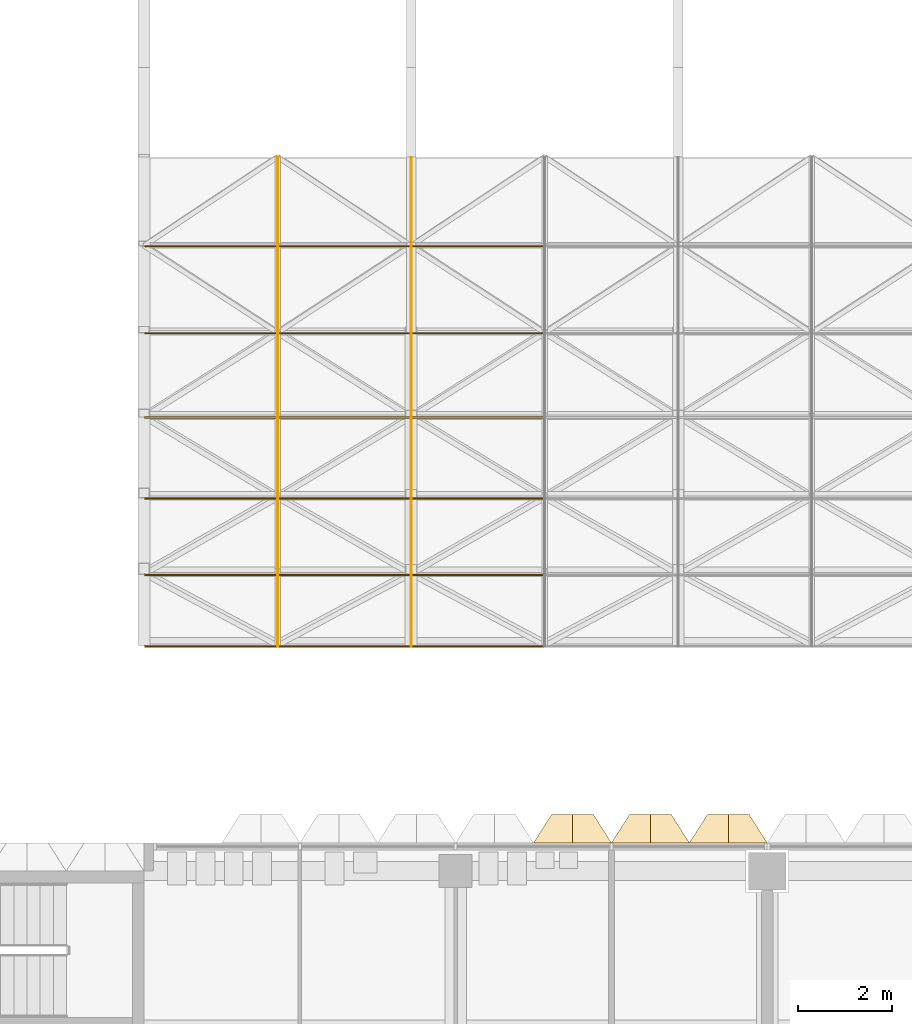
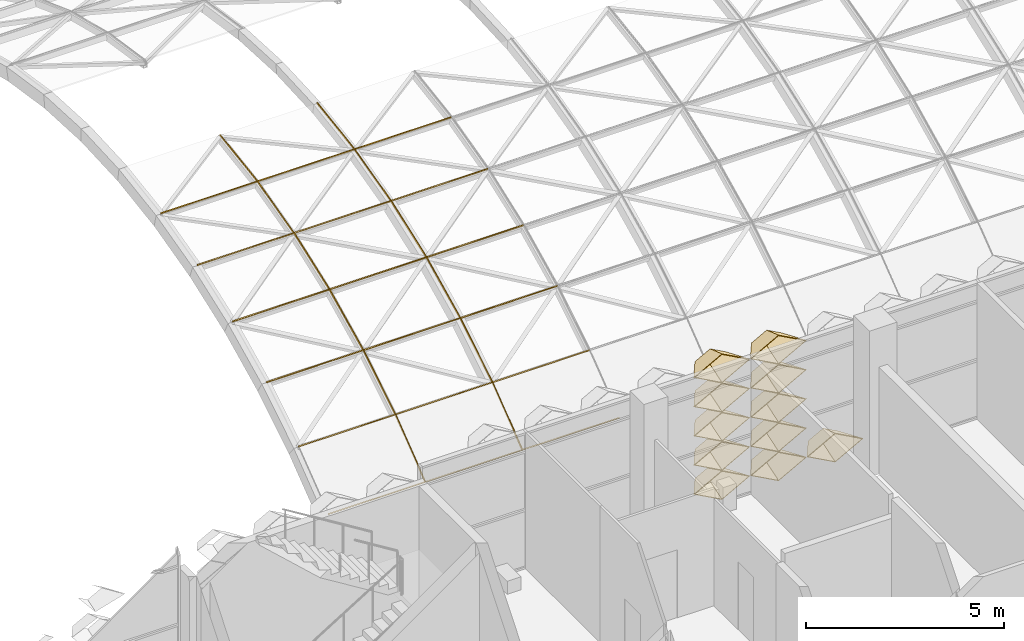
# One storey, part 55 of 85: 41 coverings.
"""IFC4 building model written with IfcOpenShell, lengths in metres."""

from ifc_helpers import new_model, entity, si_unit, direction, frame, origin, origin_2d, place, context, subcontext, project, spatial, rectangle, extrude, material, layer, layer_set, material_profile, profile_set, type_object, element, save


model = new_model("IFC4")

# Units and contexts
model_context = context("Model", 3, precision=1e-05, world=origin(), true_north=direction((0.0, 1.0)))
body_context = subcontext(model_context, "Body", "Model", "MODEL_VIEW")
ifc_project = project(units=[si_unit("LENGTHUNIT", "METRE"), si_unit("AREAUNIT", "SQUARE_METRE"), si_unit("VOLUMEUNIT", "CUBIC_METRE"), si_unit("PLANEANGLEUNIT", "RADIAN"), si_unit("MASSUNIT", "GRAM", prefix="KILO")], contexts=[model_context])

# Site, building, storey
site_placement = place(None, origin())
site = spatial("IfcSite", under=ifc_project, at=site_placement, CompositionType="ELEMENT")
building_placement = place(site_placement, origin())
building = spatial("IfcBuilding", under=site, at=building_placement, Name="Lantern Court Research Institute", CompositionType="ELEMENT")
storey_placement = place(building_placement, frame((0.0, 0.0, 18.89990234375)))
storey = spatial("IfcBuildingStorey", under=building, at=storey_placement, Name="L04", CompositionType="ELEMENT", Elevation=18.89990234375)

# Coverings
ifc_material_1 = material(Name="Anodised aluminium", Category="aluminium")
ifc_layer = layer(ifc_material_1, 0.01611328125)
ifc_layer_set = layer_set([ifc_layer], Name="Anodised aluminium")
covering_type_1 = type_object("IfcCoveringType", Name="Fin cassette 1650 x 900 x 600 aluminium", PredefinedType="CLADDING", material=ifc_layer_set)
covering_1_placement = place(storey_placement, frame((48.675048828125, 23.699951171875, 0.4501953125), z_axis=(0.0, 1.0, 0.0), x_axis=(-1.0, 0.0, 0.0)))
cartesian_point_1 = entity("IfcCartesianPoint", [0.824951171875, 0.0])
cartesian_point_2 = entity("IfcCartesianPoint", [0.79150390625, 0.0])
cartesian_point_3 = entity("IfcCartesianPoint", [0.44189453125, 0.0])
cartesian_point_4 = entity("IfcCartesianPoint", [0.43359375, 0.0])
element("IfcCovering", 1, at=covering_1_placement, inside=storey, type_object=covering_type_1, Name="Fin cassette V4N-L04 1.30", PredefinedType="CLADDING", context=body_context, shape_type="SweptSolid", body=[
    entity("IfcExtrudedAreaSolidTapered", entity("IfcArbitraryProfileDefWithVoids", "AREA", None, entity("IfcPolyline", [cartesian_point_1, entity("IfcCartesianPoint", [0.0, 0.449951171875]), entity("IfcCartesianPoint", [-0.824951171875, 0.0]), entity("IfcCartesianPoint", [0.0, -0.449951171875]), cartesian_point_1]), [entity("IfcPolyline", [cartesian_point_2, entity("IfcCartesianPoint", [0.0, 0.431884765625]), entity("IfcCartesianPoint", [-0.79150390625, 0.0]), entity("IfcCartesianPoint", [0.0, -0.431884765625]), cartesian_point_2])]), entity("IfcAxis2Placement3D", entity("IfcCartesianPoint", [0.0, 0.0, 0.0])), entity("IfcDirection", [0.0, 0.0, 1.0]), 0.60009765625, entity("IfcArbitraryProfileDefWithVoids", "AREA", None, entity("IfcPolyline", [cartesian_point_3, entity("IfcCartesianPoint", [0.0, 0.240966796875]), entity("IfcCartesianPoint", [-0.44189453125, 0.0]), entity("IfcCartesianPoint", [0.0, -0.240966796875]), cartesian_point_3]), [entity("IfcPolyline", [cartesian_point_4, entity("IfcCartesianPoint", [0.0, 0.236572265625]), entity("IfcCartesianPoint", [-0.43359375, 0.0]), entity("IfcCartesianPoint", [0.0, -0.236572265625]), cartesian_point_4])])),
])
covering_2_placement = place(storey_placement, frame((50.324951171875, 23.699951171875, 0.4501953125), z_axis=(0.0, 1.0, 0.0), x_axis=(-1.0, 0.0, 0.0)))
cartesian_point_5 = entity("IfcCartesianPoint", [0.824951171875, 0.0])
cartesian_point_6 = entity("IfcCartesianPoint", [0.79150390625, 0.0])
cartesian_point_7 = entity("IfcCartesianPoint", [0.44189453125, 0.0])
cartesian_point_8 = entity("IfcCartesianPoint", [0.43359375, 0.0])
element("IfcCovering", 2, at=covering_2_placement, inside=storey, type_object=covering_type_1, Name="Fin cassette V4N-L04 1.31", PredefinedType="CLADDING", context=body_context, shape_type="SweptSolid", body=[
    entity("IfcExtrudedAreaSolidTapered", entity("IfcArbitraryProfileDefWithVoids", "AREA", None, entity("IfcPolyline", [cartesian_point_5, entity("IfcCartesianPoint", [0.0, 0.449951171875]), entity("IfcCartesianPoint", [-0.824951171875, 0.0]), entity("IfcCartesianPoint", [0.0, -0.449951171875]), cartesian_point_5]), [entity("IfcPolyline", [cartesian_point_6, entity("IfcCartesianPoint", [0.0, 0.431884765625]), entity("IfcCartesianPoint", [-0.79150390625, 0.0]), entity("IfcCartesianPoint", [0.0, -0.431884765625]), cartesian_point_6])]), entity("IfcAxis2Placement3D", entity("IfcCartesianPoint", [0.0, 0.0, 0.0])), entity("IfcDirection", [0.0, 0.0, 1.0]), 0.60009765625, entity("IfcArbitraryProfileDefWithVoids", "AREA", None, entity("IfcPolyline", [cartesian_point_7, entity("IfcCartesianPoint", [0.0, 0.240966796875]), entity("IfcCartesianPoint", [-0.44189453125, 0.0]), entity("IfcCartesianPoint", [0.0, -0.240966796875]), cartesian_point_7]), [entity("IfcPolyline", [cartesian_point_8, entity("IfcCartesianPoint", [0.0, 0.236572265625]), entity("IfcCartesianPoint", [-0.43359375, 0.0]), entity("IfcCartesianPoint", [0.0, -0.236572265625]), cartesian_point_8])])),
])
covering_3_placement = place(storey_placement, frame((51.97509765625, 23.699951171875, 0.4501953125), z_axis=(0.0, 1.0, 0.0), x_axis=(-1.0, 0.0, 0.0)))
cartesian_point_9 = entity("IfcCartesianPoint", [0.824951171875, 0.0])
cartesian_point_10 = entity("IfcCartesianPoint", [0.79150390625, 0.0])
cartesian_point_11 = entity("IfcCartesianPoint", [0.44189453125, 0.0])
cartesian_point_12 = entity("IfcCartesianPoint", [0.43359375, 0.0])
element("IfcCovering", 3, at=covering_3_placement, inside=storey, type_object=covering_type_1, Name="Fin cassette V4N-L04 1.32", PredefinedType="CLADDING", context=body_context, shape_type="SweptSolid", body=[
    entity("IfcExtrudedAreaSolidTapered", entity("IfcArbitraryProfileDefWithVoids", "AREA", None, entity("IfcPolyline", [cartesian_point_9, entity("IfcCartesianPoint", [0.0, 0.449951171875]), entity("IfcCartesianPoint", [-0.824951171875, 0.0]), entity("IfcCartesianPoint", [0.0, -0.449951171875]), cartesian_point_9]), [entity("IfcPolyline", [cartesian_point_10, entity("IfcCartesianPoint", [0.0, 0.431884765625]), entity("IfcCartesianPoint", [-0.79150390625, 0.0]), entity("IfcCartesianPoint", [0.0, -0.431884765625]), cartesian_point_10])]), entity("IfcAxis2Placement3D", entity("IfcCartesianPoint", [0.0, 0.0, 0.0])), entity("IfcDirection", [0.0, 0.0, 1.0]), 0.60009765625, entity("IfcArbitraryProfileDefWithVoids", "AREA", None, entity("IfcPolyline", [cartesian_point_11, entity("IfcCartesianPoint", [0.0, 0.240966796875]), entity("IfcCartesianPoint", [-0.44189453125, 0.0]), entity("IfcCartesianPoint", [0.0, -0.240966796875]), cartesian_point_11]), [entity("IfcPolyline", [cartesian_point_12, entity("IfcCartesianPoint", [0.0, 0.236572265625]), entity("IfcCartesianPoint", [-0.43359375, 0.0]), entity("IfcCartesianPoint", [0.0, -0.236572265625]), cartesian_point_12])])),
])
covering_4_placement = place(storey_placement, frame((48.675048828125, 23.699951171875, 1.35009765625), z_axis=(0.0, 1.0, 0.0), x_axis=(-1.0, 0.0, 0.0)))
cartesian_point_13 = entity("IfcCartesianPoint", [0.824951171875, 0.0])
cartesian_point_14 = entity("IfcCartesianPoint", [0.79150390625, 0.0])
cartesian_point_15 = entity("IfcCartesianPoint", [0.44189453125, 0.0])
cartesian_point_16 = entity("IfcCartesianPoint", [0.43359375, 0.0])
element("IfcCovering", 4, at=covering_4_placement, inside=storey, type_object=covering_type_1, Name="Fin cassette V4N-L04 2.30", PredefinedType="CLADDING", context=body_context, shape_type="SweptSolid", body=[
    entity("IfcExtrudedAreaSolidTapered", entity("IfcArbitraryProfileDefWithVoids", "AREA", None, entity("IfcPolyline", [cartesian_point_13, entity("IfcCartesianPoint", [0.0, 0.449951171875]), entity("IfcCartesianPoint", [-0.824951171875, 0.0]), entity("IfcCartesianPoint", [0.0, -0.449951171875]), cartesian_point_13]), [entity("IfcPolyline", [cartesian_point_14, entity("IfcCartesianPoint", [0.0, 0.431884765625]), entity("IfcCartesianPoint", [-0.79150390625, 0.0]), entity("IfcCartesianPoint", [0.0, -0.431884765625]), cartesian_point_14])]), entity("IfcAxis2Placement3D", entity("IfcCartesianPoint", [0.0, 0.0, 0.0])), entity("IfcDirection", [0.0, 0.0, 1.0]), 0.60009765625, entity("IfcArbitraryProfileDefWithVoids", "AREA", None, entity("IfcPolyline", [cartesian_point_15, entity("IfcCartesianPoint", [0.0, 0.240966796875]), entity("IfcCartesianPoint", [-0.44189453125, 0.0]), entity("IfcCartesianPoint", [0.0, -0.240966796875]), cartesian_point_15]), [entity("IfcPolyline", [cartesian_point_16, entity("IfcCartesianPoint", [0.0, 0.236572265625]), entity("IfcCartesianPoint", [-0.43359375, 0.0]), entity("IfcCartesianPoint", [0.0, -0.236572265625]), cartesian_point_16])])),
])
covering_5_placement = place(storey_placement, frame((50.324951171875, 23.699951171875, 1.35009765625), z_axis=(0.0, 1.0, 0.0), x_axis=(-1.0, 0.0, 0.0)))
cartesian_point_17 = entity("IfcCartesianPoint", [0.824951171875, 0.0])
cartesian_point_18 = entity("IfcCartesianPoint", [0.79150390625, 0.0])
cartesian_point_19 = entity("IfcCartesianPoint", [0.44189453125, 0.0])
cartesian_point_20 = entity("IfcCartesianPoint", [0.43359375, 0.0])
element("IfcCovering", 5, at=covering_5_placement, inside=storey, type_object=covering_type_1, Name="Fin cassette V4N-L04 2.31", PredefinedType="CLADDING", context=body_context, shape_type="SweptSolid", body=[
    entity("IfcExtrudedAreaSolidTapered", entity("IfcArbitraryProfileDefWithVoids", "AREA", None, entity("IfcPolyline", [cartesian_point_17, entity("IfcCartesianPoint", [0.0, 0.449951171875]), entity("IfcCartesianPoint", [-0.824951171875, 0.0]), entity("IfcCartesianPoint", [0.0, -0.449951171875]), cartesian_point_17]), [entity("IfcPolyline", [cartesian_point_18, entity("IfcCartesianPoint", [0.0, 0.431884765625]), entity("IfcCartesianPoint", [-0.79150390625, 0.0]), entity("IfcCartesianPoint", [0.0, -0.431884765625]), cartesian_point_18])]), entity("IfcAxis2Placement3D", entity("IfcCartesianPoint", [0.0, 0.0, 0.0])), entity("IfcDirection", [0.0, 0.0, 1.0]), 0.60009765625, entity("IfcArbitraryProfileDefWithVoids", "AREA", None, entity("IfcPolyline", [cartesian_point_19, entity("IfcCartesianPoint", [0.0, 0.240966796875]), entity("IfcCartesianPoint", [-0.44189453125, 0.0]), entity("IfcCartesianPoint", [0.0, -0.240966796875]), cartesian_point_19]), [entity("IfcPolyline", [cartesian_point_20, entity("IfcCartesianPoint", [0.0, 0.236572265625]), entity("IfcCartesianPoint", [-0.43359375, 0.0]), entity("IfcCartesianPoint", [0.0, -0.236572265625]), cartesian_point_20])])),
])
covering_6_placement = place(storey_placement, frame((48.675048828125, 23.699951171875, 2.25), z_axis=(0.0, 1.0, 0.0), x_axis=(-1.0, 0.0, 0.0)))
cartesian_point_21 = entity("IfcCartesianPoint", [0.824951171875, 0.0])
cartesian_point_22 = entity("IfcCartesianPoint", [0.79150390625, 0.0])
cartesian_point_23 = entity("IfcCartesianPoint", [0.44189453125, 0.0])
cartesian_point_24 = entity("IfcCartesianPoint", [0.43359375, 0.0])
element("IfcCovering", 6, at=covering_6_placement, inside=storey, type_object=covering_type_1, Name="Fin cassette V4N-L04 3.30", PredefinedType="CLADDING", context=body_context, shape_type="SweptSolid", body=[
    entity("IfcExtrudedAreaSolidTapered", entity("IfcArbitraryProfileDefWithVoids", "AREA", None, entity("IfcPolyline", [cartesian_point_21, entity("IfcCartesianPoint", [0.0, 0.449951171875]), entity("IfcCartesianPoint", [-0.824951171875, 0.0]), entity("IfcCartesianPoint", [0.0, -0.449951171875]), cartesian_point_21]), [entity("IfcPolyline", [cartesian_point_22, entity("IfcCartesianPoint", [0.0, 0.431884765625]), entity("IfcCartesianPoint", [-0.79150390625, 0.0]), entity("IfcCartesianPoint", [0.0, -0.431884765625]), cartesian_point_22])]), entity("IfcAxis2Placement3D", entity("IfcCartesianPoint", [0.0, 0.0, 0.0])), entity("IfcDirection", [0.0, 0.0, 1.0]), 0.60009765625, entity("IfcArbitraryProfileDefWithVoids", "AREA", None, entity("IfcPolyline", [cartesian_point_23, entity("IfcCartesianPoint", [0.0, 0.240966796875]), entity("IfcCartesianPoint", [-0.44189453125, 0.0]), entity("IfcCartesianPoint", [0.0, -0.240966796875]), cartesian_point_23]), [entity("IfcPolyline", [cartesian_point_24, entity("IfcCartesianPoint", [0.0, 0.236572265625]), entity("IfcCartesianPoint", [-0.43359375, 0.0]), entity("IfcCartesianPoint", [0.0, -0.236572265625]), cartesian_point_24])])),
])
covering_7_placement = place(storey_placement, frame((50.324951171875, 23.699951171875, 2.25), z_axis=(0.0, 1.0, 0.0), x_axis=(-1.0, 0.0, 0.0)))
cartesian_point_25 = entity("IfcCartesianPoint", [0.824951171875, 0.0])
cartesian_point_26 = entity("IfcCartesianPoint", [0.79150390625, 0.0])
cartesian_point_27 = entity("IfcCartesianPoint", [0.44189453125, 0.0])
cartesian_point_28 = entity("IfcCartesianPoint", [0.43359375, 0.0])
element("IfcCovering", 7, at=covering_7_placement, inside=storey, type_object=covering_type_1, Name="Fin cassette V4N-L04 3.31", PredefinedType="CLADDING", context=body_context, shape_type="SweptSolid", body=[
    entity("IfcExtrudedAreaSolidTapered", entity("IfcArbitraryProfileDefWithVoids", "AREA", None, entity("IfcPolyline", [cartesian_point_25, entity("IfcCartesianPoint", [0.0, 0.449951171875]), entity("IfcCartesianPoint", [-0.824951171875, 0.0]), entity("IfcCartesianPoint", [0.0, -0.449951171875]), cartesian_point_25]), [entity("IfcPolyline", [cartesian_point_26, entity("IfcCartesianPoint", [0.0, 0.431884765625]), entity("IfcCartesianPoint", [-0.79150390625, 0.0]), entity("IfcCartesianPoint", [0.0, -0.431884765625]), cartesian_point_26])]), entity("IfcAxis2Placement3D", entity("IfcCartesianPoint", [0.0, 0.0, 0.0])), entity("IfcDirection", [0.0, 0.0, 1.0]), 0.60009765625, entity("IfcArbitraryProfileDefWithVoids", "AREA", None, entity("IfcPolyline", [cartesian_point_27, entity("IfcCartesianPoint", [0.0, 0.240966796875]), entity("IfcCartesianPoint", [-0.44189453125, 0.0]), entity("IfcCartesianPoint", [0.0, -0.240966796875]), cartesian_point_27]), [entity("IfcPolyline", [cartesian_point_28, entity("IfcCartesianPoint", [0.0, 0.236572265625]), entity("IfcCartesianPoint", [-0.43359375, 0.0]), entity("IfcCartesianPoint", [0.0, -0.236572265625]), cartesian_point_28])])),
])
covering_8_placement = place(storey_placement, frame((48.675048828125, 23.699951171875, 3.150146484375), z_axis=(0.0, 1.0, 0.0), x_axis=(-1.0, 0.0, 0.0)))
cartesian_point_29 = entity("IfcCartesianPoint", [0.824951171875, 0.0])
cartesian_point_30 = entity("IfcCartesianPoint", [0.79150390625, 0.0])
cartesian_point_31 = entity("IfcCartesianPoint", [0.44189453125, 0.0])
cartesian_point_32 = entity("IfcCartesianPoint", [0.43359375, 0.0])
element("IfcCovering", 8, at=covering_8_placement, inside=storey, type_object=covering_type_1, Name="Fin cassette V4N-L04 4.30", PredefinedType="CLADDING", context=body_context, shape_type="SweptSolid", body=[
    entity("IfcExtrudedAreaSolidTapered", entity("IfcArbitraryProfileDefWithVoids", "AREA", None, entity("IfcPolyline", [cartesian_point_29, entity("IfcCartesianPoint", [0.0, 0.449951171875]), entity("IfcCartesianPoint", [-0.824951171875, 0.0]), entity("IfcCartesianPoint", [0.0, -0.449951171875]), cartesian_point_29]), [entity("IfcPolyline", [cartesian_point_30, entity("IfcCartesianPoint", [0.0, 0.431884765625]), entity("IfcCartesianPoint", [-0.79150390625, 0.0]), entity("IfcCartesianPoint", [0.0, -0.431884765625]), cartesian_point_30])]), entity("IfcAxis2Placement3D", entity("IfcCartesianPoint", [0.0, 0.0, 0.0])), entity("IfcDirection", [0.0, 0.0, 1.0]), 0.60009765625, entity("IfcArbitraryProfileDefWithVoids", "AREA", None, entity("IfcPolyline", [cartesian_point_31, entity("IfcCartesianPoint", [0.0, 0.240966796875]), entity("IfcCartesianPoint", [-0.44189453125, 0.0]), entity("IfcCartesianPoint", [0.0, -0.240966796875]), cartesian_point_31]), [entity("IfcPolyline", [cartesian_point_32, entity("IfcCartesianPoint", [0.0, 0.236572265625]), entity("IfcCartesianPoint", [-0.43359375, 0.0]), entity("IfcCartesianPoint", [0.0, -0.236572265625]), cartesian_point_32])])),
])
covering_9_placement = place(storey_placement, frame((50.324951171875, 23.699951171875, 3.150146484375), z_axis=(0.0, 1.0, 0.0), x_axis=(-1.0, 0.0, 0.0)))
cartesian_point_33 = entity("IfcCartesianPoint", [0.824951171875, 0.0])
cartesian_point_34 = entity("IfcCartesianPoint", [0.79150390625, 0.0])
cartesian_point_35 = entity("IfcCartesianPoint", [0.44189453125, 0.0])
cartesian_point_36 = entity("IfcCartesianPoint", [0.43359375, 0.0])
element("IfcCovering", 9, at=covering_9_placement, inside=storey, type_object=covering_type_1, Name="Fin cassette V4N-L04 4.31", PredefinedType="CLADDING", context=body_context, shape_type="SweptSolid", body=[
    entity("IfcExtrudedAreaSolidTapered", entity("IfcArbitraryProfileDefWithVoids", "AREA", None, entity("IfcPolyline", [cartesian_point_33, entity("IfcCartesianPoint", [0.0, 0.449951171875]), entity("IfcCartesianPoint", [-0.824951171875, 0.0]), entity("IfcCartesianPoint", [0.0, -0.449951171875]), cartesian_point_33]), [entity("IfcPolyline", [cartesian_point_34, entity("IfcCartesianPoint", [0.0, 0.431884765625]), entity("IfcCartesianPoint", [-0.79150390625, 0.0]), entity("IfcCartesianPoint", [0.0, -0.431884765625]), cartesian_point_34])]), entity("IfcAxis2Placement3D", entity("IfcCartesianPoint", [0.0, 0.0, 0.0])), entity("IfcDirection", [0.0, 0.0, 1.0]), 0.60009765625, entity("IfcArbitraryProfileDefWithVoids", "AREA", None, entity("IfcPolyline", [cartesian_point_35, entity("IfcCartesianPoint", [0.0, 0.240966796875]), entity("IfcCartesianPoint", [-0.44189453125, 0.0]), entity("IfcCartesianPoint", [0.0, -0.240966796875]), cartesian_point_35]), [entity("IfcPolyline", [cartesian_point_36, entity("IfcCartesianPoint", [0.0, 0.236572265625]), entity("IfcCartesianPoint", [-0.43359375, 0.0]), entity("IfcCartesianPoint", [0.0, -0.236572265625]), cartesian_point_36])])),
])
covering_10_placement = place(storey_placement, frame((48.675048828125, 23.699951171875, 4.050048828125), z_axis=(0.0, 1.0, 0.0), x_axis=(-1.0, 0.0, 0.0)))
cartesian_point_37 = entity("IfcCartesianPoint", [0.824951171875, 0.0])
cartesian_point_38 = entity("IfcCartesianPoint", [0.79150390625, 0.0])
cartesian_point_39 = entity("IfcCartesianPoint", [0.44189453125, 0.0])
cartesian_point_40 = entity("IfcCartesianPoint", [0.43359375, 0.0])
element("IfcCovering", 10, at=covering_10_placement, inside=storey, type_object=covering_type_1, Name="Fin cassette V4N-L04 5.30", PredefinedType="CLADDING", context=body_context, shape_type="SweptSolid", body=[
    entity("IfcExtrudedAreaSolidTapered", entity("IfcArbitraryProfileDefWithVoids", "AREA", None, entity("IfcPolyline", [cartesian_point_37, entity("IfcCartesianPoint", [0.0, 0.449951171875]), entity("IfcCartesianPoint", [-0.824951171875, 0.0]), entity("IfcCartesianPoint", [0.0, -0.449951171875]), cartesian_point_37]), [entity("IfcPolyline", [cartesian_point_38, entity("IfcCartesianPoint", [0.0, 0.431884765625]), entity("IfcCartesianPoint", [-0.79150390625, 0.0]), entity("IfcCartesianPoint", [0.0, -0.431884765625]), cartesian_point_38])]), entity("IfcAxis2Placement3D", entity("IfcCartesianPoint", [0.0, 0.0, 0.0])), entity("IfcDirection", [0.0, 0.0, 1.0]), 0.60009765625, entity("IfcArbitraryProfileDefWithVoids", "AREA", None, entity("IfcPolyline", [cartesian_point_39, entity("IfcCartesianPoint", [0.0, 0.240966796875]), entity("IfcCartesianPoint", [-0.44189453125, 0.0]), entity("IfcCartesianPoint", [0.0, -0.240966796875]), cartesian_point_39]), [entity("IfcPolyline", [cartesian_point_40, entity("IfcCartesianPoint", [0.0, 0.236572265625]), entity("IfcCartesianPoint", [-0.43359375, 0.0]), entity("IfcCartesianPoint", [0.0, -0.236572265625]), cartesian_point_40])])),
])
covering_11_placement = place(storey_placement, frame((50.324951171875, 23.699951171875, 4.050048828125), z_axis=(0.0, 1.0, 0.0), x_axis=(-1.0, 0.0, 0.0)))
cartesian_point_41 = entity("IfcCartesianPoint", [0.824951171875, 0.0])
cartesian_point_42 = entity("IfcCartesianPoint", [0.79150390625, 0.0])
cartesian_point_43 = entity("IfcCartesianPoint", [0.44189453125, 0.0])
cartesian_point_44 = entity("IfcCartesianPoint", [0.43359375, 0.0])
element("IfcCovering", 11, at=covering_11_placement, inside=storey, type_object=covering_type_1, Name="Fin cassette V4N-L04 5.31", PredefinedType="CLADDING", context=body_context, shape_type="SweptSolid", body=[
    entity("IfcExtrudedAreaSolidTapered", entity("IfcArbitraryProfileDefWithVoids", "AREA", None, entity("IfcPolyline", [cartesian_point_41, entity("IfcCartesianPoint", [0.0, 0.449951171875]), entity("IfcCartesianPoint", [-0.824951171875, 0.0]), entity("IfcCartesianPoint", [0.0, -0.449951171875]), cartesian_point_41]), [entity("IfcPolyline", [cartesian_point_42, entity("IfcCartesianPoint", [0.0, 0.431884765625]), entity("IfcCartesianPoint", [-0.79150390625, 0.0]), entity("IfcCartesianPoint", [0.0, -0.431884765625]), cartesian_point_42])]), entity("IfcAxis2Placement3D", entity("IfcCartesianPoint", [0.0, 0.0, 0.0])), entity("IfcDirection", [0.0, 0.0, 1.0]), 0.60009765625, entity("IfcArbitraryProfileDefWithVoids", "AREA", None, entity("IfcPolyline", [cartesian_point_43, entity("IfcCartesianPoint", [0.0, 0.240966796875]), entity("IfcCartesianPoint", [-0.44189453125, 0.0]), entity("IfcCartesianPoint", [0.0, -0.240966796875]), cartesian_point_43]), [entity("IfcPolyline", [cartesian_point_44, entity("IfcCartesianPoint", [0.0, 0.236572265625]), entity("IfcCartesianPoint", [-0.43359375, 0.0]), entity("IfcCartesianPoint", [0.0, -0.236572265625]), cartesian_point_44])])),
])
ifc_material_2 = material(Name="Aluminium alloy 6063-T6", Category="aluminium")
ifc_material_profile_1 = material_profile(ifc_material_2, rectangle(XDim=0.01806640625, YDim=0.035888671875, at=origin_2d()), Name="Joint cover bar 18 x 36")
ifc_profile_set_1 = profile_set([ifc_material_profile_1], Name="Aluminium alloy 6063-T6")
covering_type_2 = type_object("IfcCoveringType", Name="Joint cover bar 18 x 36", PredefinedType="MOLDING", material=ifc_profile_set_1)
for number, where, z_axis, x_axis, name in (
    (12, (39.610107421875, 34.496337890625, 3.861328125), (1.0, 0.0, 0.0), (0.0, 0.954713115517, 0.29752792652), "Joint cover bar"),
    (13, (39.610107421875, 36.340576171875, 4.335693359375), (1.0, 0.0, 0.0), (0.0, 0.979787176632, 0.200042716708), "Joint cover bar"),
):
    element("IfcCovering", number, at=place(storey_placement, frame(where, z_axis=z_axis, x_axis=x_axis)), inside=storey, type_object=covering_type_2, Name=name, PredefinedType="MOLDING", context=body_context, shape_type="SweptSolid", body=[
        extrude(rectangle(XDim=0.01806640625, YDim=0.035888671875, at=origin_2d()), origin(), (0.0, 0.0, 1.0), 2.808349609375),
    ])
covering_12_placement = place(storey_placement, frame((42.428466796875, 34.497314453125, 3.861572265625), z_axis=(0.0, 0.968474356566, 0.249113268764), x_axis=(-1.0, 0.0, 0.0)))
element("IfcCovering", 14, at=covering_12_placement, inside=storey, type_object=covering_type_2, Name="Joint cover bar", PredefinedType="MOLDING", context=body_context, shape_type="SweptSolid", body=[
    extrude(rectangle(XDim=0.01806640625, YDim=0.035888671875, at=origin_2d()), origin(), (0.0, 0.0, 1.0), 1.90234375),
])
covering_13_placement = place(storey_placement, frame((42.4384765625, 34.496337890625, 3.861328125), z_axis=(1.0, 0.0, 0.0), x_axis=(0.0, 0.954713115517, 0.29752792652)))
element("IfcCovering", 15, at=covering_13_placement, inside=storey, type_object=covering_type_2, Name="Joint cover bar", PredefinedType="MOLDING", context=body_context, shape_type="SweptSolid", body=[
    extrude(rectangle(XDim=0.01806640625, YDim=0.035888671875, at=origin_2d()), origin(), (0.0, 0.0, 1.0), 2.80859375),
])
covering_14_placement = place(storey_placement, frame((42.428466796875, 36.341552734375, 4.3359375), z_axis=(0.0, 0.988622571714, 0.150417454764), x_axis=(-1.0, 0.0, 0.0)))
element("IfcCovering", 16, at=covering_14_placement, inside=storey, type_object=covering_type_2, Name="Joint cover bar", PredefinedType="MOLDING", context=body_context, shape_type="SweptSolid", body=[
    extrude(rectangle(XDim=0.01806640625, YDim=0.035888671875, at=origin_2d()), origin(), (0.0, 0.0, 1.0), 1.90234375),
])
covering_15_placement = place(storey_placement, frame((42.4384765625, 36.340576171875, 4.335693359375), z_axis=(1.0, 0.0, 0.0), x_axis=(0.0, 0.979787176632, 0.200042716708)))
element("IfcCovering", 17, at=covering_15_placement, inside=storey, type_object=covering_type_2, Name="Joint cover bar", PredefinedType="MOLDING", context=body_context, shape_type="SweptSolid", body=[
    extrude(rectangle(XDim=0.01806640625, YDim=0.035888671875, at=origin_2d()), origin(), (0.0, 0.0, 1.0), 2.80859375),
])
covering_16_placement = place(storey_placement, frame((45.257080078125, 34.497314453125, 3.861572265625), z_axis=(0.0, 0.968474356566, 0.249113268764), x_axis=(-1.0, 0.0, 0.0)))
element("IfcCovering", 18, at=covering_16_placement, inside=storey, type_object=covering_type_2, Name="Joint cover bar", PredefinedType="MOLDING", context=body_context, shape_type="SweptSolid", body=[
    extrude(rectangle(XDim=0.01806640625, YDim=0.035888671875, at=origin_2d()), origin(), (0.0, 0.0, 1.0), 1.90234375),
])
covering_17_placement = place(storey_placement, frame((45.26708984375, 34.496337890625, 3.861328125), z_axis=(1.0, 0.0, 0.0), x_axis=(0.0, 0.954713115517, 0.29752792652)))
element("IfcCovering", 19, at=covering_17_placement, inside=storey, type_object=covering_type_2, Name="Joint cover bar", PredefinedType="MOLDING", context=body_context, shape_type="SweptSolid", body=[
    extrude(rectangle(XDim=0.01806640625, YDim=0.035888671875, at=origin_2d()), origin(), (0.0, 0.0, 1.0), 2.80859375),
])
covering_18_placement = place(storey_placement, frame((45.257080078125, 36.341552734375, 4.3359375), z_axis=(0.0, 0.988622571714, 0.150417454764), x_axis=(-1.0, 0.0, 0.0)))
element("IfcCovering", 20, at=covering_18_placement, inside=storey, type_object=covering_type_2, Name="Joint cover bar", PredefinedType="MOLDING", context=body_context, shape_type="SweptSolid", body=[
    extrude(rectangle(XDim=0.01806640625, YDim=0.035888671875, at=origin_2d()), origin(), (0.0, 0.0, 1.0), 1.90234375),
])
covering_19_placement = place(storey_placement, frame((45.26708984375, 36.340576171875, 4.335693359375), z_axis=(1.0, 0.0, 0.0), x_axis=(0.0, 0.979787176632, 0.200042716708)))
element("IfcCovering", 21, at=covering_19_placement, inside=storey, type_object=covering_type_2, Name="Joint cover bar", PredefinedType="MOLDING", context=body_context, shape_type="SweptSolid", body=[
    extrude(rectangle(XDim=0.01806640625, YDim=0.035888671875, at=origin_2d()), origin(), (0.0, 0.0, 1.0), 2.80859375),
])
ifc_material_3 = material(Name="Aluminium alloy 6063-T6", Category="aluminium")
ifc_material_profile_2 = material_profile(ifc_material_3, rectangle(XDim=0.01806640625, YDim=0.0439453125, at=origin_2d()), Name="Joint cover bar 18 x 44")
ifc_profile_set_2 = profile_set([ifc_material_profile_2], Name="Aluminium alloy 6063-T6")
covering_type_3 = type_object("IfcCoveringType", Name="Joint cover bar 18 x 44", PredefinedType="MOLDING", material=ifc_profile_set_2)
for number, where, z_axis, x_axis, name in (
    (22, (39.610107421875, 27.8642578125, 0.21240234375), (1.0, 0.0, 0.0), (0.0, 0.761672913152, 0.647961706717), "Joint cover bar"),
    (23, (39.610107421875, 29.375244140625, 1.3720703125), (1.0, 0.0, 0.0), (0.0, 0.822954255966, 0.568107641726), "Joint cover bar"),
    (24, (39.610107421875, 30.9951171875, 2.373779296875), (1.0, 0.0, 0.0), (0.0, 0.875897373228, 0.482497452399), "Joint cover bar"),
    (25, (39.610107421875, 32.70751953125, 3.207763671875), (1.0, 0.0, 0.0), (0.0, 0.919965822984, 0.391998577219), "Joint cover bar"),
):
    element("IfcCovering", number, at=place(storey_placement, frame(where, z_axis=z_axis, x_axis=x_axis)), inside=storey, type_object=covering_type_3, Name=name, PredefinedType="MOLDING", context=body_context, shape_type="SweptSolid", body=[
        extrude(rectangle(XDim=0.01806640625, YDim=0.0439453125, at=origin_2d()), origin(), (0.0, 0.0, 1.0), 2.808349609375),
    ])
covering_20_placement = place(storey_placement, frame((42.428466796875, 27.864990234375, 0.213134765625), z_axis=(0.0, 0.793329505358, 0.608792490039), x_axis=(-1.0, 0.0, 0.0)))
element("IfcCovering", 26, at=covering_20_placement, inside=storey, type_object=covering_type_3, Name="Joint cover bar", PredefinedType="MOLDING", context=body_context, shape_type="SweptSolid", body=[
    extrude(rectangle(XDim=0.01806640625, YDim=0.0439453125, at=origin_2d()), origin(), (0.0, 0.0, 1.0), 1.90234375),
])
covering_21_placement = place(storey_placement, frame((42.4384765625, 27.8642578125, 0.21240234375), z_axis=(1.0, 0.0, 0.0), x_axis=(0.0, 0.761672913152, 0.647961706717)))
element("IfcCovering", 27, at=covering_21_placement, inside=storey, type_object=covering_type_3, Name="Joint cover bar", PredefinedType="MOLDING", context=body_context, shape_type="SweptSolid", body=[
    extrude(rectangle(XDim=0.01806640625, YDim=0.0439453125, at=origin_2d()), origin(), (0.0, 0.0, 1.0), 2.80859375),
])
covering_22_placement = place(storey_placement, frame((42.428466796875, 29.376220703125, 1.37255859375), z_axis=(0.0, 0.850462004525, 0.526036480541), x_axis=(-1.0, 0.0, 0.0)))
element("IfcCovering", 28, at=covering_22_placement, inside=storey, type_object=covering_type_3, Name="Joint cover bar", PredefinedType="MOLDING", context=body_context, shape_type="SweptSolid", body=[
    extrude(rectangle(XDim=0.01806640625, YDim=0.0439453125, at=origin_2d()), origin(), (0.0, 0.0, 1.0), 1.90234375),
])
covering_23_placement = place(storey_placement, frame((42.4384765625, 29.375244140625, 1.3720703125), z_axis=(1.0, 0.0, 0.0), x_axis=(0.0, 0.822954255966, 0.568107641726)))
element("IfcCovering", 29, at=covering_23_placement, inside=storey, type_object=covering_type_3, Name="Joint cover bar", PredefinedType="MOLDING", context=body_context, shape_type="SweptSolid", body=[
    extrude(rectangle(XDim=0.01806640625, YDim=0.0439453125, at=origin_2d()), origin(), (0.0, 0.0, 1.0), 2.80859375),
])
covering_24_placement = place(storey_placement, frame((42.428466796875, 30.99609375, 2.374267578125), z_axis=(0.0, 0.899049454889, 0.437847093931), x_axis=(-1.0, 0.0, 0.0)))
element("IfcCovering", 30, at=covering_24_placement, inside=storey, type_object=covering_type_3, Name="Joint cover bar", PredefinedType="MOLDING", context=body_context, shape_type="SweptSolid", body=[
    extrude(rectangle(XDim=0.01806640625, YDim=0.0439453125, at=origin_2d()), origin(), (0.0, 0.0, 1.0), 1.902587890625),
])
covering_25_placement = place(storey_placement, frame((42.4384765625, 30.9951171875, 2.373779296875), z_axis=(1.0, 0.0, 0.0), x_axis=(0.0, 0.875897373228, 0.482497452399)))
element("IfcCovering", 31, at=covering_25_placement, inside=storey, type_object=covering_type_3, Name="Joint cover bar", PredefinedType="MOLDING", context=body_context, shape_type="SweptSolid", body=[
    extrude(rectangle(XDim=0.01806640625, YDim=0.0439453125, at=origin_2d()), origin(), (0.0, 0.0, 1.0), 2.80859375),
])
covering_26_placement = place(storey_placement, frame((42.428466796875, 32.708740234375, 3.2080078125), z_axis=(0.0, 0.938520472327, 0.345223584105), x_axis=(-1.0, 0.0, 0.0)))
element("IfcCovering", 32, at=covering_26_placement, inside=storey, type_object=covering_type_3, Name="Joint cover bar", PredefinedType="MOLDING", context=body_context, shape_type="SweptSolid", body=[
    extrude(rectangle(XDim=0.01806640625, YDim=0.0439453125, at=origin_2d()), origin(), (0.0, 0.0, 1.0), 1.90234375),
])
covering_27_placement = place(storey_placement, frame((42.4384765625, 32.70751953125, 3.207763671875), z_axis=(1.0, 0.0, 0.0), x_axis=(0.0, 0.919965822984, 0.391998577219)))
element("IfcCovering", 33, at=covering_27_placement, inside=storey, type_object=covering_type_3, Name="Joint cover bar", PredefinedType="MOLDING", context=body_context, shape_type="SweptSolid", body=[
    extrude(rectangle(XDim=0.01806640625, YDim=0.0439453125, at=origin_2d()), origin(), (0.0, 0.0, 1.0), 2.80859375),
])
covering_28_placement = place(storey_placement, frame((45.257080078125, 27.864990234375, 0.213134765625), z_axis=(0.0, 0.793329505358, 0.608792490039), x_axis=(-1.0, 0.0, 0.0)))
element("IfcCovering", 34, at=covering_28_placement, inside=storey, type_object=covering_type_3, Name="Joint cover bar", PredefinedType="MOLDING", context=body_context, shape_type="SweptSolid", body=[
    extrude(rectangle(XDim=0.01806640625, YDim=0.0439453125, at=origin_2d()), origin(), (0.0, 0.0, 1.0), 1.90234375),
])
covering_29_placement = place(storey_placement, frame((45.26708984375, 27.8642578125, 0.21240234375), z_axis=(1.0, 0.0, 0.0), x_axis=(0.0, 0.761672913152, 0.647961706717)))
element("IfcCovering", 35, at=covering_29_placement, inside=storey, type_object=covering_type_3, Name="Joint cover bar", PredefinedType="MOLDING", context=body_context, shape_type="SweptSolid", body=[
    extrude(rectangle(XDim=0.01806640625, YDim=0.0439453125, at=origin_2d()), origin(), (0.0, 0.0, 1.0), 2.80859375),
])
covering_30_placement = place(storey_placement, frame((45.257080078125, 29.376220703125, 1.37255859375), z_axis=(0.0, 0.850462004525, 0.526036480541), x_axis=(-1.0, 0.0, 0.0)))
element("IfcCovering", 36, at=covering_30_placement, inside=storey, type_object=covering_type_3, Name="Joint cover bar", PredefinedType="MOLDING", context=body_context, shape_type="SweptSolid", body=[
    extrude(rectangle(XDim=0.01806640625, YDim=0.0439453125, at=origin_2d()), origin(), (0.0, 0.0, 1.0), 1.90234375),
])
covering_31_placement = place(storey_placement, frame((45.26708984375, 29.375244140625, 1.3720703125), z_axis=(1.0, 0.0, 0.0), x_axis=(0.0, 0.822954255966, 0.568107641726)))
element("IfcCovering", 37, at=covering_31_placement, inside=storey, type_object=covering_type_3, Name="Joint cover bar", PredefinedType="MOLDING", context=body_context, shape_type="SweptSolid", body=[
    extrude(rectangle(XDim=0.01806640625, YDim=0.0439453125, at=origin_2d()), origin(), (0.0, 0.0, 1.0), 2.80859375),
])
covering_32_placement = place(storey_placement, frame((45.257080078125, 30.99609375, 2.374267578125), z_axis=(0.0, 0.899049454889, 0.437847093931), x_axis=(-1.0, 0.0, 0.0)))
element("IfcCovering", 38, at=covering_32_placement, inside=storey, type_object=covering_type_3, Name="Joint cover bar", PredefinedType="MOLDING", context=body_context, shape_type="SweptSolid", body=[
    extrude(rectangle(XDim=0.01806640625, YDim=0.0439453125, at=origin_2d()), origin(), (0.0, 0.0, 1.0), 1.902587890625),
])
covering_33_placement = place(storey_placement, frame((45.26708984375, 30.9951171875, 2.373779296875), z_axis=(1.0, 0.0, 0.0), x_axis=(0.0, 0.875897373228, 0.482497452399)))
element("IfcCovering", 39, at=covering_33_placement, inside=storey, type_object=covering_type_3, Name="Joint cover bar", PredefinedType="MOLDING", context=body_context, shape_type="SweptSolid", body=[
    extrude(rectangle(XDim=0.01806640625, YDim=0.0439453125, at=origin_2d()), origin(), (0.0, 0.0, 1.0), 2.80859375),
])
covering_34_placement = place(storey_placement, frame((45.257080078125, 32.708740234375, 3.2080078125), z_axis=(0.0, 0.938520472327, 0.345223584105), x_axis=(-1.0, 0.0, 0.0)))
element("IfcCovering", 40, at=covering_34_placement, inside=storey, type_object=covering_type_3, Name="Joint cover bar", PredefinedType="MOLDING", context=body_context, shape_type="SweptSolid", body=[
    extrude(rectangle(XDim=0.01806640625, YDim=0.0439453125, at=origin_2d()), origin(), (0.0, 0.0, 1.0), 1.90234375),
])
covering_35_placement = place(storey_placement, frame((45.26708984375, 32.70751953125, 3.207763671875), z_axis=(1.0, 0.0, 0.0), x_axis=(0.0, 0.919965822984, 0.391998577219)))
element("IfcCovering", 41, at=covering_35_placement, inside=storey, type_object=covering_type_3, Name="Joint cover bar", PredefinedType="MOLDING", context=body_context, shape_type="SweptSolid", body=[
    extrude(rectangle(XDim=0.01806640625, YDim=0.0439453125, at=origin_2d()), origin(), (0.0, 0.0, 1.0), 2.80859375),
])

save(model, "model.ifc")
